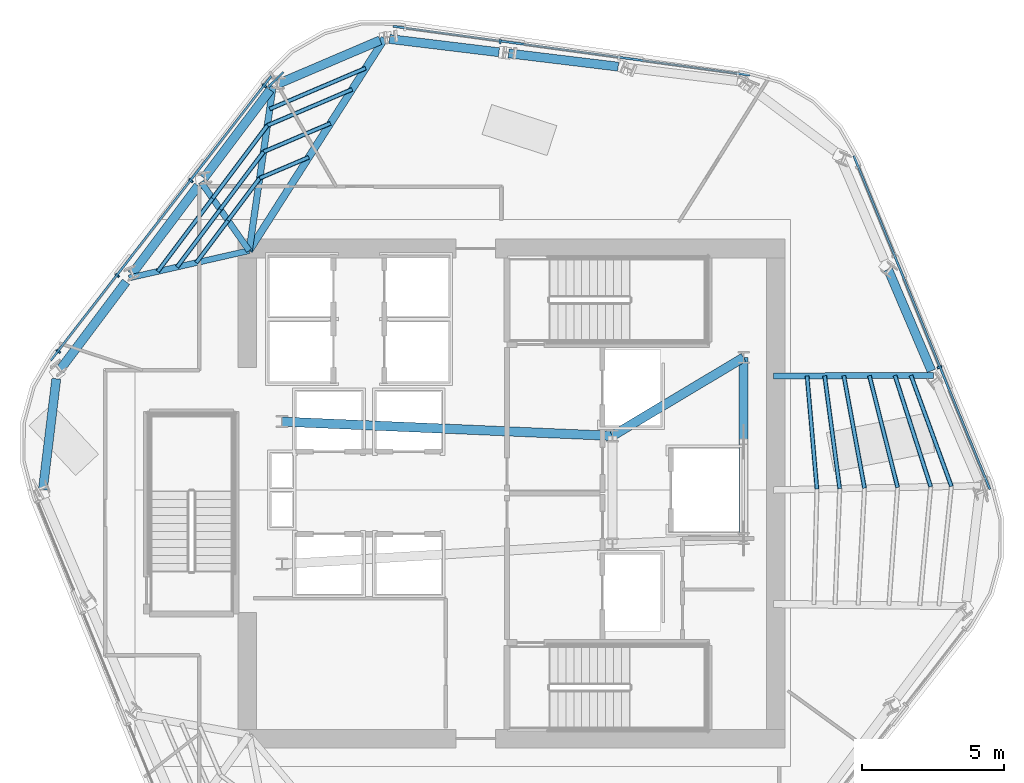
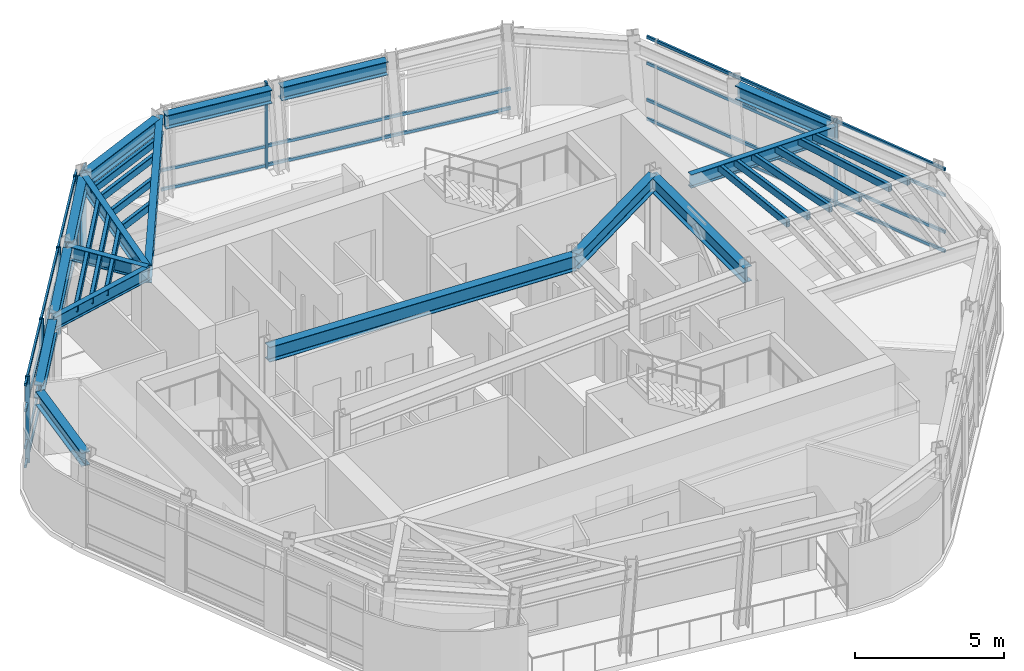
# One storey, part 3 of 12: 33 members, 16 beams, 3 elements without a shape of their own.
"""IFC4 building model written with IfcOpenShell, lengths in metres."""

from ifc_helpers import new_model, si_unit, direction, frame, origin, origin_2d, place, context, subcontext, project, spatial, rectangle, hollow_rectangle, i_section, extrude, material, layer, layer_set, material_profile, profile_set, type_object, element, aggregate, save


model = new_model("IFC4")

# Units and contexts
model_context = context("Model", 3, precision=1e-05, world=origin(), true_north=direction((0.0, 1.0)))
body_context = subcontext(model_context, "Body", "Model", "MODEL_VIEW")
ifc_project = project(units=[si_unit("LENGTHUNIT", "METRE"), si_unit("AREAUNIT", "SQUARE_METRE"), si_unit("VOLUMEUNIT", "CUBIC_METRE"), si_unit("PLANEANGLEUNIT", "RADIAN"), si_unit("MASSUNIT", "GRAM", prefix="KILO")], contexts=[model_context])

# Site, building, storey
site_placement = place(None, origin())
site = spatial("IfcSite", under=ifc_project, at=site_placement, CompositionType="ELEMENT")
building_placement = place(site_placement, origin())
building = spatial("IfcBuilding", under=site, at=building_placement, Name="Valkerne Bourse Tower", CompositionType="ELEMENT")
storey_placement = place(building_placement, frame((0.0, 0.0, 247.39990234375)))
storey = spatial("IfcBuildingStorey", under=building, at=storey_placement, Name="L63", CompositionType="ELEMENT", Elevation=247.39990234375)

# Beams
ifc_material_1 = material(Name="Steel ASTM A992", Category="steel")
ifc_material_profile_1 = material_profile(ifc_material_1, i_section(OverallWidth=0.31494140625, OverallDepth=0.5537109375, WebThickness=0.0166015625, FlangeThickness=0.026123046875, FilletRadius=0.020263671875, at=origin_2d()), Name="W21X132")
ifc_profile_set_1 = profile_set([ifc_material_profile_1], Name="Steel ASTM A992")
beam_type_1 = type_object("IfcBeamType", Name="BM-W21X132", PredefinedType="BEAM", material=ifc_profile_set_1)
beam_1_placement = place(storey_placement, frame((50.5478515625, 41.856201171875, 3.26318359375), z_axis=(-0.992759096695, 0.120122337348, 0.0), x_axis=(-0.120122337348, -0.992759096695, 0.0)))
element("IfcBeam", 1, at=beam_1_placement, inside=storey, type_object=beam_type_1, Name="L63 Hexagonal Spandrel Ring Beam 01", PredefinedType="BEAM", context=body_context, shape_type="SweptSolid", body=[
    extrude(i_section(OverallWidth=0.31494140625, OverallDepth=0.5537109375, WebThickness=0.0166015625, FlangeThickness=0.026123046875, FilletRadius=0.020263671875, at=origin_2d()), origin(), (0.0, 0.0, 1.0), 3.871826171875),
])
beam_2_placement = place(storey_placement, frame((46.366455078125, 42.362060546875, 3.26318359375), z_axis=(-0.99275248589, 0.120176960185, 0.0), x_axis=(-0.120176960185, -0.99275248589, 0.0)))
element("IfcBeam", 2, at=beam_2_placement, inside=storey, type_object=beam_type_1, Name="L63 Hexagonal Spandrel Ring Beam 02", PredefinedType="BEAM", context=body_context, shape_type="SweptSolid", body=[
    extrude(i_section(OverallWidth=0.31494140625, OverallDepth=0.5537109375, WebThickness=0.0166015625, FlangeThickness=0.026123046875, FilletRadius=0.020263671875, at=origin_2d()), origin(), (0.0, 0.0, 1.0), 3.8720703125),
])
beam_3_placement = place(storey_placement, frame((42.197265625, 42.781005859375, 3.26318359375), z_axis=(-0.919804873157, -0.392376089125, 0.0), x_axis=(0.392376089125, -0.919804873157, 0.0)))
element("IfcBeam", 3, at=beam_3_placement, inside=storey, type_object=beam_type_1, Name="L63 Hexagonal Spandrel Ring Beam 03", PredefinedType="BEAM", context=body_context, shape_type="SweptSolid", body=[
    extrude(i_section(OverallWidth=0.31494140625, OverallDepth=0.5537109375, WebThickness=0.0166015625, FlangeThickness=0.026123046875, FilletRadius=0.020263671875, at=origin_2d()), origin(), (0.0, 0.0, 1.0), 3.91552734375),
])
beam_4_placement = place(storey_placement, frame((38.337158203125, 41.0419921875, 3.26318359375), z_axis=(-0.600423655275, -0.799682083197, 0.0), x_axis=(0.799682083197, -0.600423655275, 0.0)))
element("IfcBeam", 4, at=beam_4_placement, inside=storey, type_object=beam_type_1, Name="L63 Hexagonal Spandrel Ring Beam 04", PredefinedType="BEAM", context=body_context, shape_type="SweptSolid", body=[
    extrude(i_section(OverallWidth=0.31494140625, OverallDepth=0.5537109375, WebThickness=0.0166015625, FlangeThickness=0.026123046875, FilletRadius=0.020263671875, at=origin_2d()), origin(), (0.0, 0.0, 1.0), 3.871826171875),
])
beam_5_placement = place(storey_placement, frame((35.80810546875, 37.673828125, 3.26318359375), z_axis=(-0.600393379934, -0.799704813873, 0.0), x_axis=(0.799704813873, -0.600393379934, 0.0)))
element("IfcBeam", 5, at=beam_5_placement, inside=storey, type_object=beam_type_1, Name="L63 Hexagonal Spandrel Ring Beam 05", PredefinedType="BEAM", context=body_context, shape_type="SweptSolid", body=[
    extrude(i_section(OverallWidth=0.31494140625, OverallDepth=0.5537109375, WebThickness=0.0166015625, FlangeThickness=0.026123046875, FilletRadius=0.020263671875, at=origin_2d()), origin(), (0.0, 0.0, 1.0), 3.8720703125),
])
beam_6_placement = place(storey_placement, frame((33.279296875, 34.3056640625, 3.26318359375), z_axis=(-0.600403429082, -0.799697269188, 0.0), x_axis=(0.799697269188, -0.600403429082, 0.0)))
element("IfcBeam", 6, at=beam_6_placement, inside=storey, type_object=beam_type_1, Name="L63 Hexagonal Spandrel Ring Beam 06", PredefinedType="BEAM", context=body_context, shape_type="SweptSolid", body=[
    extrude(i_section(OverallWidth=0.31494140625, OverallDepth=0.5537109375, WebThickness=0.0166015625, FlangeThickness=0.026123046875, FilletRadius=0.020263671875, at=origin_2d()), origin(), (0.0, 0.0, 1.0), 3.872314453125),
])
beam_7_placement = place(storey_placement, frame((30.831787109375, 30.904296875, 3.26318359375), z_axis=(-0.1200892928, -0.992763094477, 0.0), x_axis=(0.992763094477, -0.1200892928, 0.0)))
element("IfcBeam", 7, at=beam_7_placement, inside=storey, type_object=beam_type_1, Name="L63 Hexagonal Spandrel Ring Beam 07", PredefinedType="BEAM", context=body_context, shape_type="SweptSolid", body=[
    extrude(i_section(OverallWidth=0.31494140625, OverallDepth=0.5537109375, WebThickness=0.0166015625, FlangeThickness=0.026123046875, FilletRadius=0.020263671875, at=origin_2d()), origin(), (0.0, 0.0, 1.0), 3.91552734375),
])
beam_8_placement = place(storey_placement, frame((61.539794921875, 31.182373046875, 3.26318359375), z_axis=(-0.392373962855, 0.919805780191, 0.0), x_axis=(-0.919805780191, -0.392373962855, 0.0)))
element("IfcBeam", 8, at=beam_8_placement, inside=storey, type_object=beam_type_1, Name="L63 Hexagonal Spandrel Ring Beam 21", PredefinedType="BEAM", context=body_context, shape_type="SweptSolid", body=[
    extrude(i_section(OverallWidth=0.31494140625, OverallDepth=0.5537109375, WebThickness=0.0166015625, FlangeThickness=0.026123046875, FilletRadius=0.020263671875, at=origin_2d()), origin(), (0.0, 0.0, 1.0), 3.8720703125),
])
ifc_material_profile_2 = material_profile(ifc_material_1, i_section(OverallWidth=0.209228515625, OverallDepth=0.533447265625, WebThickness=0.01025390625, FlangeThickness=0.015625, FilletRadius=0.017822265625, at=origin_2d()), Name="W21X62")
ifc_profile_set_2 = profile_set([ifc_material_profile_2], Name="Steel ASTM A992")
beam_type_2 = type_object("IfcBeamType", Name="BM-W21X62", PredefinedType="JOIST", material=ifc_profile_set_2)
beam_9_placement = place(storey_placement, frame((33.38134765625, 34.44140625, 3.2734375), z_axis=(0.975148375026, 0.221552807891, 0.0), x_axis=(-0.221552807891, 0.975148375026, 0.0)))
element("IfcBeam", 9, at=beam_9_placement, inside=storey, type_object=beam_type_2, Name="L63 Radial Composite Floor Beam 06", PredefinedType="JOIST", context=body_context, shape_type="SweptSolid", body=[
    extrude(i_section(OverallWidth=0.209228515625, OverallDepth=0.533447265625, WebThickness=0.01025390625, FlangeThickness=0.015625, FilletRadius=0.017822265625, at=origin_2d()), origin(), (0.0, 0.0, 1.0), 4.326171875),
])
ifc_material_profile_3 = material_profile(ifc_material_1, i_section(OverallWidth=0.2138671875, OverallDepth=0.548583984375, WebThickness=0.0146484375, FlangeThickness=0.023681640625, FilletRadius=0.017822265625, at=origin_2d()), Name="W21X93")
ifc_profile_set_3 = profile_set([ifc_material_profile_3], Name="Steel ASTM A992")
beam_type_3 = type_object("IfcBeamType", Name="BM-W21X93", PredefinedType="BEAM", material=ifc_profile_set_3)
beam_10_placement = place(storey_placement, frame((35.910400390625, 37.809814453125, 3.265869140625), z_axis=(0.574091252942, -0.818791324634, 0.0), x_axis=(0.818791324634, 0.574091252942, 0.0)))
element("IfcBeam", 10, at=beam_10_placement, inside=storey, type_object=beam_type_3, Name="L63 Radial Composite Floor Beam 05", PredefinedType="BEAM", context=body_context, shape_type="SweptSolid", body=[
    extrude(i_section(OverallWidth=0.2138671875, OverallDepth=0.548583984375, WebThickness=0.0146484375, FlangeThickness=0.023681640625, FilletRadius=0.017822265625, at=origin_2d()), origin(), (0.0, 0.0, 1.0), 2.943359375),
])
beam_11_placement = place(storey_placement, frame((61.6064453125, 31.02587890625, 3.265869140625), z_axis=(-0.999989346809, -0.004615871397, 0.0), x_axis=(0.004615871397, -0.999989346809, 0.0)))
element("IfcBeam", 11, at=beam_11_placement, inside=storey, type_object=beam_type_3, Name="L63 Radial Composite Floor Beam 21", PredefinedType="BEAM", context=body_context, shape_type="SweptSolid", body=[
    extrude(i_section(OverallWidth=0.2138671875, OverallDepth=0.548583984375, WebThickness=0.0146484375, FlangeThickness=0.023681640625, FilletRadius=0.017822265625, at=origin_2d()), origin(), (0.0, 0.0, 1.0), 5.6064453125),
])
ifc_material_profile_4 = material_profile(ifc_material_1, i_section(OverallWidth=0.3251953125, OverallDepth=0.612060546875, WebThickness=0.0126953125, FlangeThickness=0.01904296875, FilletRadius=0.020263671875, at=origin_2d()), Name="W24X104")
ifc_profile_set_4 = profile_set([ifc_material_profile_4], Name="Steel ASTM A992")
beam_type_4 = type_object("IfcBeamType", Name="BM-W24X104", PredefinedType="BEAM", material=ifc_profile_set_4)
beam_12_placement = place(storey_placement, frame((50.35009765625, 28.89990234375, 3.23388671875), z_axis=(0.858307823492, 0.513135148019, 0.0), x_axis=(-0.513135148019, 0.858307823492, 0.0)))
element("IfcBeam", 12, at=beam_12_placement, inside=storey, type_object=beam_type_4, Name="L63 Core Frame Girder CG-NE", PredefinedType="BEAM", context=body_context, shape_type="SweptSolid", body=[
    extrude(i_section(OverallWidth=0.3251953125, OverallDepth=0.612060546875, WebThickness=0.0126953125, FlangeThickness=0.01904296875, FilletRadius=0.020263671875, at=origin_2d()), origin(), (0.0, 0.0, 1.0), 5.359130859375),
])
beam_13_placement = place(storey_placement, frame((54.949951171875, 25.300048828125, 3.23388671875), z_axis=(0.0, 1.0, 0.0), x_axis=(-1.0, 0.0, 0.0)))
element("IfcBeam", 13, at=beam_13_placement, inside=storey, type_object=beam_type_4, Name="L63 Core Frame Girder CG-EE", PredefinedType="BEAM", context=body_context, shape_type="SweptSolid", body=[
    extrude(i_section(OverallWidth=0.3251953125, OverallDepth=0.612060546875, WebThickness=0.0126953125, FlangeThickness=0.01904296875, FilletRadius=0.020263671875, at=origin_2d()), origin(), (0.0, 0.0, 1.0), 6.349853515625),
])
beam_14_placement = place(storey_placement, frame((38.75, 29.39990234375, 3.23388671875), z_axis=(0.999072354402, -0.043063101019, 0.0), x_axis=(0.043063101019, 0.999072354402, 0.0)))
element("IfcBeam", 14, at=beam_14_placement, inside=storey, type_object=beam_type_4, Name="L63 Core Frame Girder CG-NW", PredefinedType="BEAM", context=body_context, shape_type="SweptSolid", body=[
    extrude(i_section(OverallWidth=0.3251953125, OverallDepth=0.612060546875, WebThickness=0.0126953125, FlangeThickness=0.01904296875, FilletRadius=0.020263671875, at=origin_2d()), origin(), (0.0, 0.0, 1.0), 11.61083984375),
])
ifc_material_profile_5 = material_profile(ifc_material_1, i_section(OverallWidth=0.228271484375, OverallDepth=0.607177734375, WebThickness=0.01123046875, FlangeThickness=0.017333984375, FilletRadius=0.017822265625, at=origin_2d()), Name="W24X76")
ifc_profile_set_5 = profile_set([ifc_material_profile_5], Name="Steel ASTM A992")
beam_type_5 = type_object("IfcBeamType", Name="BM-W24X76", PredefinedType="JOIST", material=ifc_profile_set_5)
beam_15_placement = place(storey_placement, frame((38.439208984375, 41.177978515625, 3.236572265625), z_axis=(-0.143715744996, -0.989619009842, 0.0), x_axis=(0.989619009842, -0.143715744996, 0.0)))
element("IfcBeam", 15, at=beam_15_placement, inside=storey, type_object=beam_type_5, Name="L63 Radial Composite Floor Beam 04", PredefinedType="JOIST", context=body_context, shape_type="SweptSolid", body=[
    extrude(i_section(OverallWidth=0.228271484375, OverallDepth=0.607177734375, WebThickness=0.01123046875, FlangeThickness=0.017333984375, FilletRadius=0.017822265625, at=origin_2d()), origin(), (0.0, 0.0, 1.0), 5.838623046875),
])
ifc_material_profile_6 = material_profile(ifc_material_1, i_section(OverallWidth=0.255859375, OverallDepth=0.693359375, WebThickness=0.014404296875, FlangeThickness=0.023681640625, FilletRadius=0.02294921875, at=origin_2d()), Name="W27X114")
ifc_profile_set_6 = profile_set([ifc_material_profile_6], Name="Steel ASTM A992")
beam_type_6 = type_object("IfcBeamType", Name="BM-W27X114", PredefinedType="BEAM", material=ifc_profile_set_6)
beam_16_placement = place(storey_placement, frame((42.353759765625, 42.84765625, 3.193359375), z_axis=(-0.53801749084, -0.842933674467, 0.0), x_axis=(0.842933674467, -0.53801749084, 0.0)))
element("IfcBeam", 16, at=beam_16_placement, inside=storey, type_object=beam_type_6, Name="L63 Radial Composite Floor Beam 03", PredefinedType="BEAM", context=body_context, shape_type="SweptSolid", body=[
    extrude(i_section(OverallWidth=0.255859375, OverallDepth=0.693359375, WebThickness=0.014404296875, FlangeThickness=0.023681640625, FilletRadius=0.02294921875, at=origin_2d()), origin(), (0.0, 0.0, 1.0), 8.83544921875),
])

# Curtain wall, member
ifc_material_2 = material(Name="Aluminium AA 6063-T6", Category="aluminium")
ifc_layer = layer(ifc_material_2, 0.239990234375)
ifc_layer_set = layer_set([ifc_layer], Name="Aluminium AA 6063-T6")
curtain_wall_type = type_object("IfcCurtainWallType", Name="CW-04", PredefinedType="NOTDEFINED", material=ifc_layer_set)
curtain_wall_1_placement = place(storey_placement, origin())
curtain_wall_1 = element("IfcCurtainWall", 17, at=curtain_wall_1_placement, inside=storey, type_object=curtain_wall_type, Name="L63 Hexagonal Stick Curtain Wall Face 1", PredefinedType="NOTDEFINED")
ifc_material_profile_7 = material_profile(ifc_material_2, rectangle(XDim=0.074951171875, YDim=0.159912109375, at=origin_2d()), Name="CWM-75X160")
ifc_profile_set_7 = profile_set([ifc_material_profile_7], Name="Aluminium AA 6063-T6")
member_type_1 = type_object("IfcMemberType", Name="CW-MUL-160X75", PredefinedType="MULLION", material=ifc_profile_set_7)
member_1_placement = place(storey_placement, frame((46.40625, 42.73779296875, 0.0), z_axis=(0.0, 0.0, 1.0), x_axis=(-0.990745602352, 0.1357319101, 0.0)))
member_1 = element("IfcMember", 18, at=member_1_placement, type_object=member_type_1, Name="CW-L63-F1 Jamb Mullion 02A", PredefinedType="MULLION", context=body_context, shape_type="SweptSolid", body=[
    extrude(rectangle(XDim=0.074951171875, YDim=0.159912109375, at=origin_2d()), origin(), (0.0, 0.0, 1.0), 3.5400390625),
])

# Curtain wall, members
curtain_wall_2_placement = place(storey_placement, origin())
curtain_wall_2 = element("IfcCurtainWall", 19, at=curtain_wall_2_placement, inside=storey, type_object=curtain_wall_type, Name="L63 Hexagonal Stick Curtain Wall Face 2", PredefinedType="NOTDEFINED")
member_2_placement = place(storey_placement, frame((38.136962890625, 41.18408203125, 0.0), z_axis=(0.0, 0.0, 1.0), x_axis=(-0.612916098506, -0.790147996385, 0.0)))
member_2 = element("IfcMember", 20, at=member_2_placement, type_object=member_type_1, Name="CW-L63-F2 Jamb Mullion 00A", PredefinedType="MULLION", context=body_context, shape_type="SweptSolid", body=[
    extrude(rectangle(XDim=0.074951171875, YDim=0.159912109375, at=origin_2d()), origin(), (0.0, 0.0, 1.0), 3.5400390625),
])
member_3_placement = place(storey_placement, frame((35.555419921875, 37.85595703125, 0.0), z_axis=(0.0, 0.0, 1.0), x_axis=(-0.612901275427, -0.790159494394, 0.0)))
member_3 = element("IfcMember", 21, at=member_3_placement, type_object=member_type_1, Name="CW-L63-F2 Jamb Mullion 01A", PredefinedType="MULLION", context=body_context, shape_type="SweptSolid", body=[
    extrude(rectangle(XDim=0.074951171875, YDim=0.159912109375, at=origin_2d()), origin(), (0.0, 0.0, 1.0), 3.5400390625),
])
member_4_placement = place(storey_placement, frame((32.973876953125, 34.52783203125, 0.0), z_axis=(0.0, 0.0, 1.0), x_axis=(-0.612904600679, -0.790156915091, 0.0)))
member_4 = element("IfcMember", 22, at=member_4_placement, type_object=member_type_1, Name="CW-L63-F2 Jamb Mullion 02A", PredefinedType="MULLION", context=body_context, shape_type="SweptSolid", body=[
    extrude(rectangle(XDim=0.074951171875, YDim=0.159912109375, at=origin_2d()), origin(), (0.0, 0.0, 1.0), 3.5400390625),
])
member_5_placement = place(storey_placement, frame((30.906982421875, 31.863525390625, 0.0), z_axis=(0.0, 0.0, 1.0), x_axis=(-0.612904600679, -0.790156915091, 0.0)))
member_5 = element("IfcMember", 23, at=member_5_placement, type_object=member_type_1, Name="CW-L63-F2 Jamb Mullion 02B", PredefinedType="MULLION", context=body_context, shape_type="SweptSolid", body=[
    extrude(rectangle(XDim=0.074951171875, YDim=0.159912109375, at=origin_2d()), origin(), (0.0, 0.0, 1.0), 3.5400390625),
])

# Curtain wall, member
curtain_wall_3_placement = place(storey_placement, origin())
curtain_wall_3 = element("IfcCurtainWall", 24, at=curtain_wall_3_placement, inside=storey, type_object=curtain_wall_type, Name="L63 Hexagonal Stick Curtain Wall Face 6", PredefinedType="NOTDEFINED")
member_6_placement = place(storey_placement, frame((61.823974609375, 31.31005859375, 0.0), z_axis=(0.0, 0.0, 1.0), x_axis=(-0.377845080973, 0.925868832387, 0.0)))
member_6 = element("IfcMember", 25, at=member_6_placement, type_object=member_type_1, Name="CW-L63-F6 Jamb Mullion 01A", PredefinedType="MULLION", context=body_context, shape_type="SweptSolid", body=[
    extrude(rectangle(XDim=0.074951171875, YDim=0.159912109375, at=origin_2d()), origin(), (0.0, 0.0, 1.0), 3.5400390625),
])

# Member
ifc_material_profile_8 = material_profile(ifc_material_2, rectangle(XDim=0.074951171875, YDim=0.1201171875, at=origin_2d()), Name="CWT-75X120")
ifc_profile_set_8 = profile_set([ifc_material_profile_8], Name="Aluminium AA 6063-T6")
member_type_2 = type_object("IfcMemberType", Name="CW-TRN-120X75", PredefinedType="USERDEFINED", material=ifc_profile_set_8)
member_7_placement = place(storey_placement, frame((55.171142578125, 41.557373046875, 0.1201171875), z_axis=(-0.990748391886, 0.135711546952, 0.0), x_axis=(-0.135711546952, -0.990748391886, 0.0)))
member_7 = element("IfcMember", 26, at=member_7_placement, type_object=member_type_2, Name="CW-L63-F1 Continuous Face Transom 1", ObjectType="TRANSOM", PredefinedType="USERDEFINED", context=body_context, shape_type="SweptSolid", body=[
    extrude(rectangle(XDim=0.074951171875, YDim=0.1201171875, at=origin_2d()), origin(), (0.0, 0.0, 1.0), 12.635986328125),
])

member_8_placement = place(storey_placement, frame((55.171142578125, 41.557373046875, 0.900146484375), z_axis=(-0.990748391886, 0.135711546952, 0.0), x_axis=(-0.135711546952, -0.990748391886, 0.0)))
member_8 = element("IfcMember", 27, at=member_8_placement, type_object=member_type_2, Name="CW-L63-F1 Continuous Face Transom 2", ObjectType="TRANSOM", PredefinedType="USERDEFINED", context=body_context, shape_type="SweptSolid", body=[
    extrude(rectangle(XDim=0.074951171875, YDim=0.1201171875, at=origin_2d()), origin(), (0.0, 0.0, 1.0), 12.635986328125),
])

aggregate(curtain_wall_1, [member_7, member_8, member_1])

member_9_placement = place(storey_placement, frame((38.37841796875, 41.5283203125, 0.1201171875), z_axis=(-0.612895413365, -0.790164041371, 0.0), x_axis=(0.790164041371, -0.612895413365, 0.0)))
member_9 = element("IfcMember", 28, at=member_9_placement, type_object=member_type_2, Name="CW-L63-F2 Continuous Face Transom 1", ObjectType="TRANSOM", PredefinedType="USERDEFINED", context=body_context, shape_type="SweptSolid", body=[
    extrude(rectangle(XDim=0.074951171875, YDim=0.1201171875, at=origin_2d()), origin(), (0.0, 0.0, 1.0), 12.63623046875),
])

member_10_placement = place(storey_placement, frame((38.37841796875, 41.5283203125, 0.900146484375), z_axis=(-0.612895413365, -0.790164041371, 0.0), x_axis=(0.790164041371, -0.612895413365, 0.0)))
member_10 = element("IfcMember", 29, at=member_10_placement, type_object=member_type_2, Name="CW-L63-F2 Continuous Face Transom 2", ObjectType="TRANSOM", PredefinedType="USERDEFINED", context=body_context, shape_type="SweptSolid", body=[
    extrude(rectangle(XDim=0.074951171875, YDim=0.1201171875, at=origin_2d()), origin(), (0.0, 0.0, 1.0), 12.63623046875),
])

member_11_placement = place(storey_placement, frame((38.37841796875, 41.5283203125, 2.400146484375), z_axis=(-0.612895413365, -0.790164041371, 0.0), x_axis=(0.790164041371, -0.612895413365, 0.0)))
member_11 = element("IfcMember", 30, at=member_11_placement, type_object=member_type_2, Name="CW-L63-F2 Continuous Face Transom 3", ObjectType="TRANSOM", PredefinedType="USERDEFINED", context=body_context, shape_type="SweptSolid", body=[
    extrude(rectangle(XDim=0.074951171875, YDim=0.1201171875, at=origin_2d()), origin(), (0.0, 0.0, 1.0), 12.63623046875),
])

member_12_placement = place(storey_placement, frame((38.37841796875, 41.5283203125, 3.460205078125), z_axis=(-0.612895413365, -0.790164041371, 0.0), x_axis=(0.790164041371, -0.612895413365, 0.0)))
member_12 = element("IfcMember", 31, at=member_12_placement, type_object=member_type_2, Name="CW-L63-F2 Continuous Face Transom 4", ObjectType="TRANSOM", PredefinedType="USERDEFINED", context=body_context, shape_type="SweptSolid", body=[
    extrude(rectangle(XDim=0.074951171875, YDim=0.1201171875, at=origin_2d()), origin(), (0.0, 0.0, 1.0), 12.63623046875),
])

aggregate(curtain_wall_2, [member_9, member_10, member_11, member_12, member_2, member_3, member_4, member_5])

member_13_placement = place(storey_placement, frame((63.592529296875, 27.029052734375, 0.1201171875), z_axis=(-0.377837509837, 0.925871922115, 0.0), x_axis=(-0.925871922115, -0.377837509837, 0.0)))
member_13 = element("IfcMember", 32, at=member_13_placement, type_object=member_type_2, Name="CW-L63-F6 Continuous Face Transom 1", ObjectType="TRANSOM", PredefinedType="USERDEFINED", context=body_context, shape_type="SweptSolid", body=[
    extrude(rectangle(XDim=0.074951171875, YDim=0.1201171875, at=origin_2d()), origin(), (0.0, 0.0, 1.0), 12.63623046875),
])

member_14_placement = place(storey_placement, frame((63.592529296875, 27.029052734375, 0.900146484375), z_axis=(-0.377837509837, 0.925871922115, 0.0), x_axis=(-0.925871922115, -0.377837509837, 0.0)))
member_14 = element("IfcMember", 33, at=member_14_placement, type_object=member_type_2, Name="CW-L63-F6 Continuous Face Transom 2", ObjectType="TRANSOM", PredefinedType="USERDEFINED", context=body_context, shape_type="SweptSolid", body=[
    extrude(rectangle(XDim=0.074951171875, YDim=0.1201171875, at=origin_2d()), origin(), (0.0, 0.0, 1.0), 12.63623046875),
])

member_15_placement = place(storey_placement, frame((63.592529296875, 27.029052734375, 2.400146484375), z_axis=(-0.377837509837, 0.925871922115, 0.0), x_axis=(-0.925871922115, -0.377837509837, 0.0)))
member_15 = element("IfcMember", 34, at=member_15_placement, type_object=member_type_2, Name="CW-L63-F6 Continuous Face Transom 3", ObjectType="TRANSOM", PredefinedType="USERDEFINED", context=body_context, shape_type="SweptSolid", body=[
    extrude(rectangle(XDim=0.074951171875, YDim=0.1201171875, at=origin_2d()), origin(), (0.0, 0.0, 1.0), 12.63623046875),
])

member_16_placement = place(storey_placement, frame((63.592529296875, 27.029052734375, 3.460205078125), z_axis=(-0.377837509837, 0.925871922115, 0.0), x_axis=(-0.925871922115, -0.377837509837, 0.0)))
member_16 = element("IfcMember", 35, at=member_16_placement, type_object=member_type_2, Name="CW-L63-F6 Continuous Face Transom 4", ObjectType="TRANSOM", PredefinedType="USERDEFINED", context=body_context, shape_type="SweptSolid", body=[
    extrude(rectangle(XDim=0.074951171875, YDim=0.1201171875, at=origin_2d()), origin(), (0.0, 0.0, 1.0), 12.63623046875),
])

aggregate(curtain_wall_3, [member_13, member_14, member_15, member_16, member_6])

# Members
ifc_material_3 = material(Name="Bronze Anodised Aluminium AA 6063-T6", Category="aluminium")
ifc_material_profile_9 = material_profile(ifc_material_3, rectangle(XDim=0.06494140625, YDim=0.75, at=origin_2d()), Name="FIN-65X750")
ifc_profile_set_9 = profile_set([ifc_material_profile_9], Name="Bronze Anodised Aluminium AA 6063-T6")
member_type_3 = type_object("IfcMemberType", Name="FIN-SOLAR-650", PredefinedType="USERDEFINED", material=ifc_profile_set_9)
member_17_placement = place(storey_placement, frame((38.53662109375, 41.40576171875, 0.004150390625), z_axis=(0.0, 0.0, 1.0), x_axis=(-0.701069717809, 0.713092736445, 0.0)))
element("IfcMember", 36, at=member_17_placement, inside=storey, type_object=member_type_3, Name="L63 Bronze Anodised Solar Fin F2-00", ObjectType="SOLAR_FIN", PredefinedType="USERDEFINED", context=body_context, shape_type="SweptSolid", body=[
    extrude(rectangle(XDim=0.06494140625, YDim=0.75, at=origin_2d()), origin(), (0.0, 0.0, 1.0), 3.531982421875),
])
ifc_material_4 = material(Name="Steel ASTM A500 Grade C", Category="steel")
ifc_material_profile_10 = material_profile(ifc_material_4, hollow_rectangle(XDim=0.14990234375, YDim=0.300048828125, WallThickness=0.012451171875, OuterFilletRadius=0.02490234375, at=origin_2d()), Name="HSS300X150X12.5")
ifc_profile_set_10 = profile_set([ifc_material_profile_10], Name="Steel ASTM A500 Grade C")
member_type_4 = type_object("IfcMemberType", Name="MBR-HSS300X150X12.5", PredefinedType="PURLIN", material=ifc_profile_set_10)
member_18_placement = place(storey_placement, frame((58.32275390625, 27.048583984375, 3.380126953125), z_axis=(-0.132371876753, 0.991200124216, 0.0), x_axis=(-0.991200124216, -0.132371876753, 0.0)))
element("IfcMember", 37, at=member_18_placement, inside=storey, type_object=member_type_4, Name="L63 Secondary Composite Floor Purlin I-20", PredefinedType="PURLIN", context=body_context, shape_type="SweptSolid", body=[
    extrude(hollow_rectangle(XDim=0.14990234375, YDim=0.300048828125, WallThickness=0.012451171875, OuterFilletRadius=0.02490234375, at=origin_2d()), origin(), (0.0, 0.0, 1.0), 3.994873046875),
])
member_19_placement = place(storey_placement, frame((39.691650390625, 38.677001953125, 3.380126953125), z_axis=(-0.919831496002, -0.392313674198, 0.0), x_axis=(0.392313674198, -0.919831496002, 0.0)))
element("IfcMember", 38, at=member_19_placement, inside=storey, type_object=member_type_4, Name="L63 Secondary Composite Floor Purlin K-03", PredefinedType="PURLIN", context=body_context, shape_type="SweptSolid", body=[
    extrude(hollow_rectangle(XDim=0.14990234375, YDim=0.300048828125, WallThickness=0.012451171875, OuterFilletRadius=0.02490234375, at=origin_2d()), origin(), (0.0, 0.0, 1.0), 1.87255859375),
])
member_20_placement = place(storey_placement, frame((37.96923828125, 37.9423828125, 3.380126953125), z_axis=(-0.600400367378, -0.79969956787, 0.0), x_axis=(0.79969956787, -0.600400367378, 0.0)))
element("IfcMember", 39, at=member_20_placement, inside=storey, type_object=member_type_4, Name="L63 Secondary Composite Floor Purlin K-04", PredefinedType="PURLIN", context=body_context, shape_type="SweptSolid", body=[
    extrude(hollow_rectangle(XDim=0.14990234375, YDim=0.300048828125, WallThickness=0.012451171875, OuterFilletRadius=0.02490234375, at=origin_2d()), origin(), (0.0, 0.0, 1.0), 1.853515625),
])
member_21_placement = place(storey_placement, frame((36.8564453125, 36.460205078125, 3.380126953125), z_axis=(-0.600379369112, -0.799715332568, 0.0), x_axis=(0.799715332568, -0.600379369112, 0.0)))
element("IfcMember", 40, at=member_21_placement, inside=storey, type_object=member_type_4, Name="L63 Secondary Composite Floor Purlin K-05", PredefinedType="PURLIN", context=body_context, shape_type="SweptSolid", body=[
    extrude(hollow_rectangle(XDim=0.14990234375, YDim=0.300048828125, WallThickness=0.012451171875, OuterFilletRadius=0.02490234375, at=origin_2d()), origin(), (0.0, 0.0, 1.0), 1.85302734375),
])
member_22_placement = place(storey_placement, frame((59.19384765625, 27.066650390625, 3.380126953125), z_axis=(-0.181252277165, 0.983436633456, 0.0), x_axis=(-0.983436633456, -0.181252277165, 0.0)))
element("IfcMember", 41, at=member_22_placement, inside=storey, type_object=member_type_4, Name="L63 Secondary Composite Floor Purlin K-20", PredefinedType="PURLIN", context=body_context, shape_type="SweptSolid", body=[
    extrude(hollow_rectangle(XDim=0.14990234375, YDim=0.300048828125, WallThickness=0.012451171875, OuterFilletRadius=0.02490234375, at=origin_2d()), origin(), (0.0, 0.0, 1.0), 4.01123046875),
])
member_23_placement = place(storey_placement, frame((41.212890625, 41.060302734375, 3.380126953125), z_axis=(-0.919815217822, -0.392351838359, 0.0), x_axis=(0.392351838359, -0.919815217822, 0.0)))
element("IfcMember", 42, at=member_23_placement, inside=storey, type_object=member_type_4, Name="L63 Secondary Composite Floor Purlin O-03", PredefinedType="PURLIN", context=body_context, shape_type="SweptSolid", body=[
    extrude(hollow_rectangle(XDim=0.14990234375, YDim=0.300048828125, WallThickness=0.012451171875, OuterFilletRadius=0.02490234375, at=origin_2d()), origin(), (0.0, 0.0, 1.0), 3.234375),
])
member_24_placement = place(storey_placement, frame((38.23779296875, 39.791259765625, 3.380126953125), z_axis=(-0.600402633064, -0.799697866829, 0.0), x_axis=(0.799697866829, -0.600402633064, 0.0)))
element("IfcMember", 43, at=member_24_placement, inside=storey, type_object=member_type_4, Name="L63 Secondary Composite Floor Purlin O-04", PredefinedType="PURLIN", context=body_context, shape_type="SweptSolid", body=[
    extrude(hollow_rectangle(XDim=0.14990234375, YDim=0.300048828125, WallThickness=0.012451171875, OuterFilletRadius=0.02490234375, at=origin_2d()), origin(), (0.0, 0.0, 1.0), 3.200927734375),
])
member_25_placement = place(storey_placement, frame((36.31591796875, 37.2314453125, 3.380126953125), z_axis=(-0.600414787407, -0.799688741363, 0.0), x_axis=(0.799688741363, -0.600414787407, 0.0)))
element("IfcMember", 44, at=member_25_placement, inside=storey, type_object=member_type_4, Name="L63 Secondary Composite Floor Purlin O-05", PredefinedType="PURLIN", context=body_context, shape_type="SweptSolid", body=[
    extrude(hollow_rectangle(XDim=0.14990234375, YDim=0.300048828125, WallThickness=0.012451171875, OuterFilletRadius=0.02490234375, at=origin_2d()), origin(), (0.0, 0.0, 1.0), 3.201416015625),
])
member_26_placement = place(storey_placement, frame((61.516845703125, 27.115234375, 3.380126953125), z_axis=(-0.306192220115, 0.95196970768, 0.0), x_axis=(-0.95196970768, -0.306192220115, 0.0)))
element("IfcMember", 45, at=member_26_placement, inside=storey, type_object=member_type_4, Name="L63 Secondary Composite Floor Purlin O-20", PredefinedType="PURLIN", context=body_context, shape_type="SweptSolid", body=[
    extrude(hollow_rectangle(XDim=0.14990234375, YDim=0.300048828125, WallThickness=0.012451171875, OuterFilletRadius=0.02490234375, at=origin_2d()), origin(), (0.0, 0.0, 1.0), 4.1015625),
])
member_27_placement = place(storey_placement, frame((40.4521484375, 39.86865234375, 3.380126953125), z_axis=(-0.919796573532, -0.392395544467, 0.0), x_axis=(0.392395544467, -0.919796573532, 0.0)))
element("IfcMember", 46, at=member_27_placement, inside=storey, type_object=member_type_4, Name="L63 Secondary Composite Floor Purlin Z-03", PredefinedType="PURLIN", context=body_context, shape_type="SweptSolid", body=[
    extrude(hollow_rectangle(XDim=0.14990234375, YDim=0.300048828125, WallThickness=0.012451171875, OuterFilletRadius=0.02490234375, at=origin_2d()), origin(), (0.0, 0.0, 1.0), 2.553466796875),
])
for number, where, z_axis, x_axis, name in (
    (47, (38.103515625, 38.86669921875, 3.380126953125), (-0.600448188922, -0.799663662061, 0.0), (0.799663662061, -0.600448188922, 0.0), "L63 Secondary Composite Floor Purlin Z-04"),
    (48, (36.586181640625, 36.845947265625, 3.380126953125), (-0.60040180225, -0.799698490592, 0.0), (0.799698490592, -0.60040180225, 0.0), "L63 Secondary Composite Floor Purlin Z-05"),
):
    element("IfcMember", number, at=place(storey_placement, frame(where, z_axis=z_axis, x_axis=x_axis)), inside=storey, type_object=member_type_4, Name=name, PredefinedType="PURLIN", context=body_context, shape_type="SweptSolid", body=[
        extrude(hollow_rectangle(XDim=0.14990234375, YDim=0.300048828125, WallThickness=0.012451171875, OuterFilletRadius=0.02490234375, at=origin_2d()), origin(), (0.0, 0.0, 1.0), 2.527099609375),
    ])
member_28_placement = place(storey_placement, frame((60.355224609375, 27.091064453125, 3.380126953125), z_axis=(-0.244947557181, 0.969536329506, 0.0), x_axis=(-0.969536329506, -0.244947557181, 0.0)))
element("IfcMember", 49, at=member_28_placement, inside=storey, type_object=member_type_4, Name="L63 Secondary Composite Floor Purlin Z-20", PredefinedType="PURLIN", context=body_context, shape_type="SweptSolid", body=[
    extrude(hollow_rectangle(XDim=0.14990234375, YDim=0.300048828125, WallThickness=0.012451171875, OuterFilletRadius=0.02490234375, at=origin_2d()), origin(), (0.0, 0.0, 1.0), 4.047607421875),
])
member_29_placement = place(storey_placement, frame((57.5244140625, 27.03173828125, 3.380126953125), z_axis=(-0.087036354351, 0.996205136014, 0.0), x_axis=(-0.996205136014, -0.087036354351, 0.0)))
element("IfcMember", 50, at=member_29_placement, inside=storey, type_object=member_type_4, Name="L63 Secondary Composite Floor Purlin S-20", PredefinedType="PURLIN", context=body_context, shape_type="SweptSolid", body=[
    extrude(hollow_rectangle(XDim=0.14990234375, YDim=0.300048828125, WallThickness=0.012451171875, OuterFilletRadius=0.02490234375, at=origin_2d()), origin(), (0.0, 0.0, 1.0), 3.98876953125),
])
member_30_placement = place(storey_placement, frame((41.688232421875, 41.804931640625, 3.380126953125), z_axis=(-0.919833700201, -0.39230850612, 0.0), x_axis=(0.39230850612, -0.919833700201, 0.0)))
element("IfcMember", 51, at=member_30_placement, inside=storey, type_object=member_type_4, Name="L63 Secondary Composite Floor Purlin T-03", PredefinedType="PURLIN", context=body_context, shape_type="SweptSolid", body=[
    extrude(hollow_rectangle(XDim=0.14990234375, YDim=0.300048828125, WallThickness=0.012451171875, OuterFilletRadius=0.02490234375, at=origin_2d()), origin(), (0.0, 0.0, 1.0), 3.659912109375),
])
member_31_placement = place(storey_placement, frame((62.24267578125, 27.13037109375, 3.380126953125), z_axis=(-0.343005999088, 0.939333212758, 0.0), x_axis=(-0.939333212758, -0.343005999088, 0.0)))
element("IfcMember", 52, at=member_31_placement, inside=storey, type_object=member_type_4, Name="L63 Secondary Composite Floor Purlin T-20", PredefinedType="PURLIN", context=body_context, shape_type="SweptSolid", body=[
    extrude(hollow_rectangle(XDim=0.14990234375, YDim=0.300048828125, WallThickness=0.012451171875, OuterFilletRadius=0.02490234375, at=origin_2d()), origin(), (0.0, 0.0, 1.0), 4.143310546875),
])

save(model, "model.ifc")
